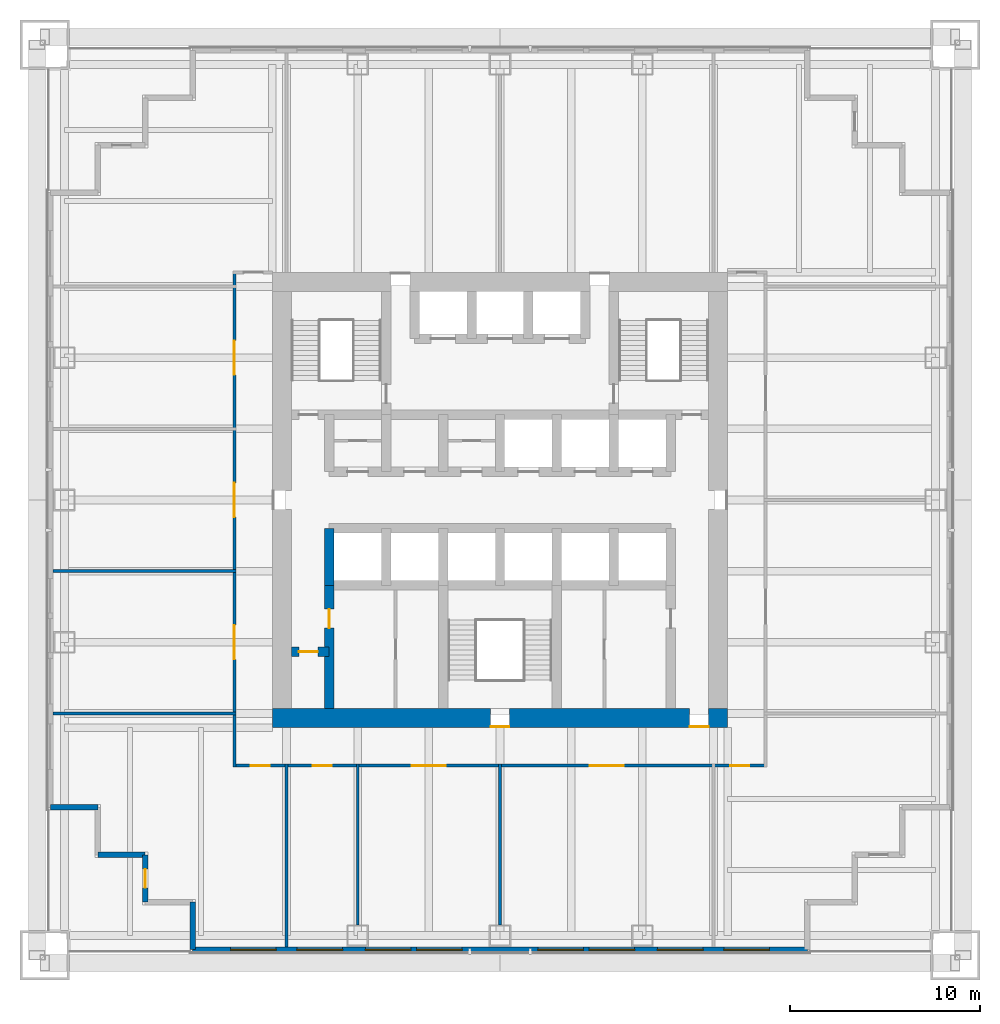
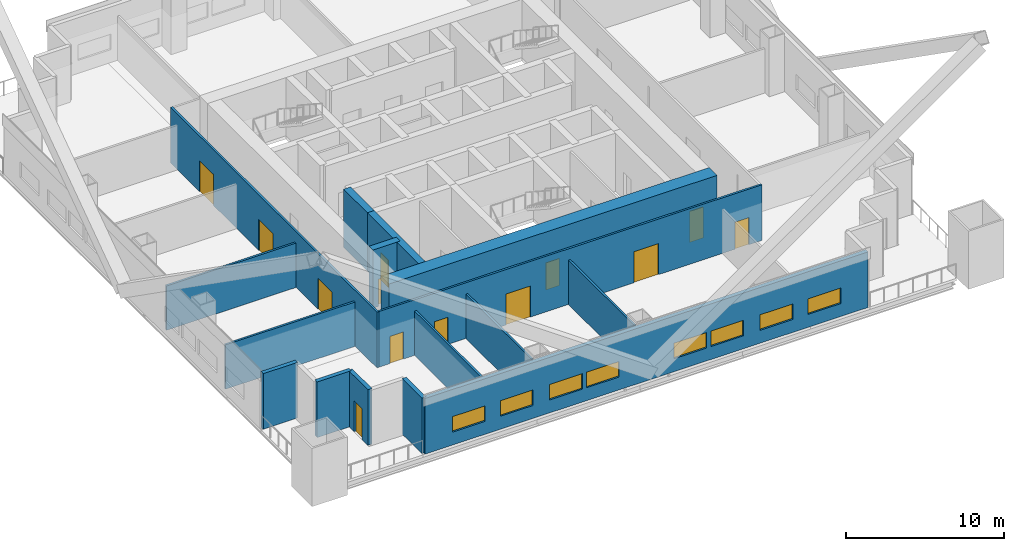
# One storey, part 2 of 7: 16 walls, 13 doors, 8 windows, 21 openings.
"""IFC4 building model written with IfcOpenShell, lengths in metres."""

from ifc_helpers import new_model, si_unit, direction, frame, frame_2d, origin, place, context, subcontext, project, spatial, rectangle, extrude, material, layer, layer_set, type_object, element, fill, save


model = new_model("IFC4")

# Units and contexts
model_context = context("Model", 3, precision=1e-05, world=origin(), true_north=direction((0.0, 1.0)))
body_context = subcontext(model_context, "Body", "Model", "MODEL_VIEW")
ifc_project = project(units=[si_unit("LENGTHUNIT", "METRE"), si_unit("AREAUNIT", "SQUARE_METRE"), si_unit("VOLUMEUNIT", "CUBIC_METRE"), si_unit("PLANEANGLEUNIT", "RADIAN"), si_unit("MASSUNIT", "GRAM", prefix="KILO")], contexts=[model_context])

# Site, building, storey
site_placement = place(None, origin())
site = spatial("IfcSite", under=ifc_project, at=site_placement, CompositionType="ELEMENT")
building_placement = place(site_placement, origin())
building = spatial("IfcBuilding", under=site, at=building_placement, Name="Tarangal Relay Tower", CompositionType="ELEMENT")
storey_placement = place(building_placement, frame((0.0, 0.0, 153.89990234375)))
storey = spatial("IfcBuildingStorey", under=building, at=storey_placement, Name="L31", CompositionType="ELEMENT", Elevation=153.89990234375)

# Wall, opening, door
ifc_material_1 = material(Name="Concrete fc' 60 MPa", Category="concrete")
ifc_layer_1 = layer(ifc_material_1, 0.5)
ifc_layer_set_1 = layer_set([ifc_layer_1], Name="Core inner wall 500")
wall_type_1 = type_object("IfcWallType", Name="Core inner wall 500", PredefinedType="SHEAR", material=ifc_layer_set_1)
wall_1_placement = place(storey_placement, frame((-11.0, -8.0, 0.0), z_axis=(0.0, 0.0, 1.0), x_axis=(1.0, 0.0, 0.0)))
wall_1 = element("IfcWall", 1, at=wall_1_placement, inside=storey, type_object=wall_type_1, Name="Core wall YM8 L31", PredefinedType="SHEAR", context=body_context, shape_type="SweptSolid", body=[
    extrude(rectangle(XDim=2.0, YDim=0.5, at=frame_2d((1.0, 0.0))), origin(), (0.0, 0.0, 1.0), 4.5),
])
opening_1_placement = place(wall_1_placement, frame((0.39990234375, 0.0, 0.0)))
opening_1 = element("IfcOpeningElement", 2, at=opening_1_placement, cuts=wall_1, Name="Opening D1", PredefinedType="OPENING", context=body_context, shape_type="SweptSolid", body=[
    extrude(rectangle(XDim=1.0, YDim=2.10009765625, at=frame_2d((0.5, 1.050048828125))), frame((0.0, 0.260009765625, 0.0), z_axis=(0.0, -1.0, 0.0), x_axis=(1.0, 0.0, 0.0)), (0.0, 0.0, 1.0), 0.52001953125),
])
ifc_material_2 = material(Name="Hardwood door", Category="wood")
door_type_1 = type_object("IfcDoorType", Name="WC door 1000 x 2100", OperationType="SINGLE_SWING_LEFT", PredefinedType="DOOR", material=ifc_material_2)
door_1_placement = place(opening_1_placement, origin())
door_1 = element("IfcDoor", 3, at=door_1_placement, inside=storey, type_object=door_type_1, Name="Accessible WC door L31", OperationType="SINGLE_SWING_LEFT", OverallHeight=2.10009765625, OverallWidth=1.0, PredefinedType="DOOR", context=body_context, shape_type="SweptSolid", body=[
    extrude(rectangle(XDim=1.0, YDim=2.10009765625, at=frame_2d((0.5, 1.050048828125))), frame((0.0, 0.02490234375, 0.0), z_axis=(0.0, -1.0, 0.0), x_axis=(1.0, 0.0, 0.0)), (0.0, 0.0, 1.0), 0.050048828125),
])
fill(opening_1, door_1)

# Wall
wall_2_placement = place(storey_placement, frame((-9.0, -4.5, 0.0), z_axis=(0.0, 0.0, 1.0), x_axis=(0.0, 1.0, 0.0)))
element("IfcWall", 4, at=wall_2_placement, inside=storey, type_object=wall_type_1, Name="Core wall XM9S L31", PredefinedType="SHEAR", context=body_context, shape_type="SweptSolid", body=[
    extrude(rectangle(XDim=3.0, YDim=0.5, at=frame_2d((1.5, 0.0))), origin(), (0.0, 0.0, 1.0), 4.5),
])

# Wall, opening, door
wall_3_placement = place(storey_placement, frame((-9.0, -11.0, 0.0), z_axis=(0.0, 0.0, 1.0), x_axis=(0.0, 1.0, 0.0)))
wall_3 = element("IfcWall", 5, at=wall_3_placement, inside=storey, type_object=wall_type_1, Name="Core wall XM9W L31", PredefinedType="SHEAR", context=body_context, shape_type="SweptSolid", body=[
    extrude(rectangle(XDim=6.5, YDim=0.5, at=frame_2d((3.25, 0.0))), origin(), (0.0, 0.0, 1.0), 4.5),
])
opening_2_placement = place(wall_3_placement, frame((4.25, 0.0, 0.0)))
opening_2 = element("IfcOpeningElement", 6, at=opening_2_placement, cuts=wall_3, Name="Opening D1", PredefinedType="OPENING", context=body_context, shape_type="SweptSolid", body=[
    extrude(rectangle(XDim=1.0, YDim=2.10009765625, at=frame_2d((0.5, 1.050048828125))), frame((0.0, 0.260009765625, 0.0), z_axis=(0.0, -1.0, 0.0), x_axis=(1.0, 0.0, 0.0)), (0.0, 0.0, 1.0), 0.52001953125),
])
door_2_placement = place(opening_2_placement, origin())
door_2 = element("IfcDoor", 7, at=door_2_placement, inside=storey, type_object=door_type_1, Name="Male WC door L31", OperationType="SINGLE_SWING_LEFT", OverallHeight=2.10009765625, OverallWidth=1.0, PredefinedType="DOOR", context=body_context, shape_type="SweptSolid", body=[
    extrude(rectangle(XDim=1.0, YDim=2.10009765625, at=frame_2d((0.5, 1.050048828125))), frame((0.0, 0.02490234375, 0.0), z_axis=(0.0, -1.0, 0.0), x_axis=(1.0, 0.0, 0.0)), (0.0, 0.0, 1.0), 0.050048828125),
])
fill(opening_2, door_2)

# Wall, openings, doors
ifc_layer_2 = layer(ifc_material_1, 1.0)
ifc_layer_set_2 = layer_set([ifc_layer_2], Name="Core wall 1000")
wall_type_2 = type_object("IfcWallType", Name="Core wall 1000", PredefinedType="SHEAR", material=ifc_layer_set_2)
wall_4_placement = place(storey_placement, frame((12.0, -11.5, 0.0), z_axis=(0.0, 0.0, 1.0), x_axis=(-1.0, 0.0, 0.0)))
wall_4 = element("IfcWall", 8, at=wall_4_placement, inside=storey, type_object=wall_type_2, Name="Core wall S L31", PredefinedType="SHEAR", context=body_context, shape_type="SweptSolid", body=[
    extrude(rectangle(XDim=24.0, YDim=1.0, at=frame_2d((12.0, 0.0))), origin(), (0.0, 0.0, 1.0), 4.5),
])
opening_3_placement = place(wall_4_placement, frame((11.5, 0.0, 0.0)))
opening_3 = element("IfcOpeningElement", 9, at=opening_3_placement, cuts=wall_4, Name="Opening FD1", PredefinedType="OPENING", context=body_context, shape_type="SweptSolid", body=[
    extrude(rectangle(XDim=1.0, YDim=2.10009765625, at=frame_2d((0.5, 1.050048828125))), frame((0.0, 0.510009765625, 0.0), z_axis=(0.0, -1.0, 0.0), x_axis=(1.0, 0.0, 0.0)), (0.0, 0.0, 1.0), 1.02001953125),
])
opening_4_placement = place(wall_4_placement, frame((1.0, 0.0, 0.0)))
opening_4 = element("IfcOpeningElement", 10, at=opening_4_placement, cuts=wall_4, Name="Opening FD3", PredefinedType="OPENING", context=body_context, shape_type="SweptSolid", body=[
    extrude(rectangle(XDim=1.0, YDim=2.39990234375, at=frame_2d((0.5, 1.199951171875))), frame((0.0, 0.510009765625, 0.0), z_axis=(0.0, -1.0, 0.0), x_axis=(1.0, 0.0, 0.0)), (0.0, 0.0, 1.0), 1.02001953125),
])
ifc_material_3 = material(Name="Steel door with hardwood frame", Category="steel")
door_type_2 = type_object("IfcDoorType", Name="Fire door 1000 x 2100", OperationType="SINGLE_SWING_LEFT", PredefinedType="DOOR", material=ifc_material_3)
door_3_placement = place(opening_3_placement, origin())
door_3 = element("IfcDoor", 11, at=door_3_placement, inside=storey, type_object=door_type_2, Name="Stair ST-C door L31", OperationType="SINGLE_SWING_LEFT", OverallHeight=2.10009765625, OverallWidth=1.0, PredefinedType="DOOR", context=body_context, shape_type="SweptSolid", body=[
    extrude(rectangle(XDim=1.0, YDim=2.10009765625, at=frame_2d((0.5, 1.050048828125))), frame((0.0, 0.48486328125, 0.0), z_axis=(0.0, -1.0, 0.0), x_axis=(1.0, 0.0, 0.0)), (0.0, 0.0, 1.0), 0.050048828125),
])
fill(opening_3, door_3)
door_type_3 = type_object("IfcDoorType", Name="Fire door 1000 x 2400 core entry", OperationType="SINGLE_SWING_RIGHT", PredefinedType="DOOR", material=ifc_material_3)
door_4_placement = place(opening_4_placement, origin())
door_4 = element("IfcDoor", 12, at=door_4_placement, inside=storey, type_object=door_type_3, Name="Core entry door south east L31", OperationType="SINGLE_SWING_RIGHT", OverallHeight=2.39990234375, OverallWidth=1.0, PredefinedType="DOOR", context=body_context, shape_type="SweptSolid", body=[
    extrude(rectangle(XDim=1.0, YDim=2.39990234375, at=frame_2d((0.5, 1.199951171875))), frame((0.0, 0.48486328125, 0.0), z_axis=(0.0, -1.0, 0.0), x_axis=(1.0, 0.0, 0.0)), (0.0, 0.0, 1.0), 0.050048828125),
])
fill(opening_4, door_4)

# Wall, openings, windows
ifc_material_4 = material(Name="Insulated precast concrete fc' 40 MPa", Category="concrete")
ifc_layer_3 = layer(ifc_material_4, 0.300048828125)
ifc_layer_set_3 = layer_set([ifc_layer_3], Name="Insulated precast concrete fc' 40 MPa")
wall_type_3 = type_object("IfcWallType", Name="Facade wall precast 300", PredefinedType="SOLIDWALL", material=ifc_layer_set_3)
wall_5_placement = place(storey_placement, frame((16.199951171875, -23.699951171875, 0.0), z_axis=(0.0, 0.0, 1.0), x_axis=(-1.0, 0.0, 0.0)))
wall_5 = element("IfcWall", 13, at=wall_5_placement, inside=storey, type_object=wall_type_3, Name="Facade wall S facade L31", PredefinedType="SOLIDWALL", context=body_context, shape_type="SweptSolid", body=[
    extrude(rectangle(XDim=32.39990234375, YDim=0.300048828125, at=frame_2d((16.199951171875, 0.0))), origin(), (0.0, 0.0, 1.0), 4.300048828125),
])
opening_5_placement = place(wall_5_placement, frame((2.0, 0.0, 1.0)))
opening_5 = element("IfcOpeningElement", 14, at=opening_5_placement, cuts=wall_5, Name="Opening WN1", PredefinedType="OPENING", context=body_context, shape_type="SweptSolid", body=[
    extrude(rectangle(XDim=2.39990234375, YDim=1.199951171875, at=frame_2d((1.199951171875, 0.60009765625))), frame((0.0, 0.159912109375, 0.0), z_axis=(0.0, -1.0, 0.0), x_axis=(1.0, 0.0, 0.0)), (0.0, 0.0, 1.0), 0.320068359375),
])
opening_6_placement = place(wall_5_placement, frame((5.5, 0.0, 1.0)))
opening_6 = element("IfcOpeningElement", 15, at=opening_6_placement, cuts=wall_5, Name="Opening WN1", PredefinedType="OPENING", context=body_context, shape_type="SweptSolid", body=[
    extrude(rectangle(XDim=2.39990234375, YDim=1.199951171875, at=frame_2d((1.199951171875, 0.60009765625))), frame((0.0, 0.159912109375, 0.0), z_axis=(0.0, -1.0, 0.0), x_axis=(1.0, 0.0, 0.0)), (0.0, 0.0, 1.0), 0.320068359375),
])
opening_7_placement = place(wall_5_placement, frame((9.10009765625, 0.0, 1.0)))
opening_7 = element("IfcOpeningElement", 16, at=opening_7_placement, cuts=wall_5, Name="Opening WN1", PredefinedType="OPENING", context=body_context, shape_type="SweptSolid", body=[
    extrude(rectangle(XDim=2.39990234375, YDim=1.199951171875, at=frame_2d((1.199951171875, 0.60009765625))), frame((0.0, 0.159912109375, 0.0), z_axis=(0.0, -1.0, 0.0), x_axis=(1.0, 0.0, 0.0)), (0.0, 0.0, 1.0), 0.320068359375),
])
opening_8_placement = place(wall_5_placement, frame((11.800048828125, 0.0, 1.0)))
opening_8 = element("IfcOpeningElement", 17, at=opening_8_placement, cuts=wall_5, Name="Opening WN1", PredefinedType="OPENING", context=body_context, shape_type="SweptSolid", body=[
    extrude(rectangle(XDim=2.39990234375, YDim=1.199951171875, at=frame_2d((1.199951171875, 0.60009765625))), frame((0.0, 0.159912109375, 0.0), z_axis=(0.0, -1.0, 0.0), x_axis=(1.0, 0.0, 0.0)), (0.0, 0.0, 1.0), 0.320068359375),
])
opening_9_placement = place(wall_5_placement, frame((18.199951171875, 0.0, 1.0)))
opening_9 = element("IfcOpeningElement", 18, at=opening_9_placement, cuts=wall_5, Name="Opening WN1", PredefinedType="OPENING", context=body_context, shape_type="SweptSolid", body=[
    extrude(rectangle(XDim=2.39990234375, YDim=1.199951171875, at=frame_2d((1.199951171875, 0.60009765625))), frame((0.0, 0.159912109375, 0.0), z_axis=(0.0, -1.0, 0.0), x_axis=(1.0, 0.0, 0.0)), (0.0, 0.0, 1.0), 0.320068359375),
])
opening_10_placement = place(wall_5_placement, frame((20.89990234375, 0.0, 1.0)))
opening_10 = element("IfcOpeningElement", 19, at=opening_10_placement, cuts=wall_5, Name="Opening WN1", PredefinedType="OPENING", context=body_context, shape_type="SweptSolid", body=[
    extrude(rectangle(XDim=2.39990234375, YDim=1.199951171875, at=frame_2d((1.199951171875, 0.60009765625))), frame((0.0, 0.159912109375, 0.0), z_axis=(0.0, -1.0, 0.0), x_axis=(1.0, 0.0, 0.0)), (0.0, 0.0, 1.0), 0.320068359375),
])
opening_11_placement = place(wall_5_placement, frame((24.5, 0.0, 1.0)))
opening_11 = element("IfcOpeningElement", 20, at=opening_11_placement, cuts=wall_5, Name="Opening WN1", PredefinedType="OPENING", context=body_context, shape_type="SweptSolid", body=[
    extrude(rectangle(XDim=2.39990234375, YDim=1.199951171875, at=frame_2d((1.199951171875, 0.60009765625))), frame((0.0, 0.159912109375, 0.0), z_axis=(0.0, -1.0, 0.0), x_axis=(1.0, 0.0, 0.0)), (0.0, 0.0, 1.0), 0.320068359375),
])
opening_12_placement = place(wall_5_placement, frame((28.0, 0.0, 1.0)))
opening_12 = element("IfcOpeningElement", 21, at=opening_12_placement, cuts=wall_5, Name="Opening WN1", PredefinedType="OPENING", context=body_context, shape_type="SweptSolid", body=[
    extrude(rectangle(XDim=2.39990234375, YDim=1.199951171875, at=frame_2d((1.199951171875, 0.60009765625))), frame((0.0, 0.159912109375, 0.0), z_axis=(0.0, -1.0, 0.0), x_axis=(1.0, 0.0, 0.0)), (0.0, 0.0, 1.0), 0.320068359375),
])
ifc_material_5 = material(Name="Dark tinted double glazing in black aluminium frame", Category="aluminium")
window_type = type_object("IfcWindowType", Name="Ribbon window 2400 x 1200", PartitioningType="SINGLE_PANEL", PredefinedType="WINDOW", material=ifc_material_5)
window_1_placement = place(opening_5_placement, origin())
window_1 = element("IfcWindow", 22, at=window_1_placement, inside=storey, type_object=window_type, Name="Ribbon window WN1 S facade L31", OverallHeight=1.199951171875, OverallWidth=2.39990234375, PartitioningType="SINGLE_PANEL", PredefinedType="WINDOW", context=body_context, shape_type="SweptSolid", body=[
    extrude(rectangle(XDim=2.39990234375, YDim=1.199951171875, at=frame_2d((1.199951171875, 0.60009765625))), frame((0.0, 0.030029296875, 0.0), z_axis=(0.0, -1.0, 0.0), x_axis=(1.0, 0.0, 0.0)), (0.0, 0.0, 1.0), 0.06005859375),
])
fill(opening_5, window_1)
window_2_placement = place(opening_6_placement, origin())
window_2 = element("IfcWindow", 23, at=window_2_placement, inside=storey, type_object=window_type, Name="Ribbon window WN1 S facade L31", OverallHeight=1.199951171875, OverallWidth=2.39990234375, PartitioningType="SINGLE_PANEL", PredefinedType="WINDOW", context=body_context, shape_type="SweptSolid", body=[
    extrude(rectangle(XDim=2.39990234375, YDim=1.199951171875, at=frame_2d((1.199951171875, 0.60009765625))), frame((0.0, 0.030029296875, 0.0), z_axis=(0.0, -1.0, 0.0), x_axis=(1.0, 0.0, 0.0)), (0.0, 0.0, 1.0), 0.06005859375),
])
fill(opening_6, window_2)
window_3_placement = place(opening_7_placement, origin())
window_3 = element("IfcWindow", 24, at=window_3_placement, inside=storey, type_object=window_type, Name="Ribbon window WN1 S facade L31", OverallHeight=1.199951171875, OverallWidth=2.39990234375, PartitioningType="SINGLE_PANEL", PredefinedType="WINDOW", context=body_context, shape_type="SweptSolid", body=[
    extrude(rectangle(XDim=2.39990234375, YDim=1.199951171875, at=frame_2d((1.199951171875, 0.60009765625))), frame((0.0, 0.030029296875, 0.0), z_axis=(0.0, -1.0, 0.0), x_axis=(1.0, 0.0, 0.0)), (0.0, 0.0, 1.0), 0.06005859375),
])
fill(opening_7, window_3)
window_4_placement = place(opening_8_placement, origin())
window_4 = element("IfcWindow", 25, at=window_4_placement, inside=storey, type_object=window_type, Name="Ribbon window WN1 S facade L31", OverallHeight=1.199951171875, OverallWidth=2.39990234375, PartitioningType="SINGLE_PANEL", PredefinedType="WINDOW", context=body_context, shape_type="SweptSolid", body=[
    extrude(rectangle(XDim=2.39990234375, YDim=1.199951171875, at=frame_2d((1.199951171875, 0.60009765625))), frame((0.0, 0.030029296875, 0.0), z_axis=(0.0, -1.0, 0.0), x_axis=(1.0, 0.0, 0.0)), (0.0, 0.0, 1.0), 0.06005859375),
])
fill(opening_8, window_4)
window_5_placement = place(opening_9_placement, origin())
window_5 = element("IfcWindow", 26, at=window_5_placement, inside=storey, type_object=window_type, Name="Ribbon window WN1 S facade L31", OverallHeight=1.199951171875, OverallWidth=2.39990234375, PartitioningType="SINGLE_PANEL", PredefinedType="WINDOW", context=body_context, shape_type="SweptSolid", body=[
    extrude(rectangle(XDim=2.39990234375, YDim=1.199951171875, at=frame_2d((1.199951171875, 0.60009765625))), frame((0.0, 0.030029296875, 0.0), z_axis=(0.0, -1.0, 0.0), x_axis=(1.0, 0.0, 0.0)), (0.0, 0.0, 1.0), 0.06005859375),
])
fill(opening_9, window_5)
window_6_placement = place(opening_10_placement, origin())
window_6 = element("IfcWindow", 27, at=window_6_placement, inside=storey, type_object=window_type, Name="Ribbon window WN1 S facade L31", OverallHeight=1.199951171875, OverallWidth=2.39990234375, PartitioningType="SINGLE_PANEL", PredefinedType="WINDOW", context=body_context, shape_type="SweptSolid", body=[
    extrude(rectangle(XDim=2.39990234375, YDim=1.199951171875, at=frame_2d((1.199951171875, 0.60009765625))), frame((0.0, 0.030029296875, 0.0), z_axis=(0.0, -1.0, 0.0), x_axis=(1.0, 0.0, 0.0)), (0.0, 0.0, 1.0), 0.06005859375),
])
fill(opening_10, window_6)
window_7_placement = place(opening_11_placement, origin())
window_7 = element("IfcWindow", 28, at=window_7_placement, inside=storey, type_object=window_type, Name="Ribbon window WN1 S facade L31", OverallHeight=1.199951171875, OverallWidth=2.39990234375, PartitioningType="SINGLE_PANEL", PredefinedType="WINDOW", context=body_context, shape_type="SweptSolid", body=[
    extrude(rectangle(XDim=2.39990234375, YDim=1.199951171875, at=frame_2d((1.199951171875, 0.60009765625))), frame((0.0, 0.030029296875, 0.0), z_axis=(0.0, -1.0, 0.0), x_axis=(1.0, 0.0, 0.0)), (0.0, 0.0, 1.0), 0.06005859375),
])
fill(opening_11, window_7)
window_8_placement = place(opening_12_placement, origin())
window_8 = element("IfcWindow", 29, at=window_8_placement, inside=storey, type_object=window_type, Name="Ribbon window WN1 S facade L31", OverallHeight=1.199951171875, OverallWidth=2.39990234375, PartitioningType="SINGLE_PANEL", PredefinedType="WINDOW", context=body_context, shape_type="SweptSolid", body=[
    extrude(rectangle(XDim=2.39990234375, YDim=1.199951171875, at=frame_2d((1.199951171875, 0.60009765625))), frame((0.0, 0.030029296875, 0.0), z_axis=(0.0, -1.0, 0.0), x_axis=(1.0, 0.0, 0.0)), (0.0, 0.0, 1.0), 0.06005859375),
])
fill(opening_12, window_8)

# Wall
wall_6_placement = place(storey_placement, frame((-16.199951171875, -23.699951171875, 0.0), z_axis=(0.0, 0.0, 1.0), x_axis=(0.0, 1.0, 0.0)))
element("IfcWall", 30, at=wall_6_placement, inside=storey, type_object=wall_type_3, Name="Facade wall S facade L31", PredefinedType="SOLIDWALL", context=body_context, shape_type="SweptSolid", body=[
    extrude(rectangle(XDim=2.5, YDim=0.300048828125, at=frame_2d((1.25, 0.0))), origin(), (0.0, 0.0, 1.0), 4.300048828125),
])

# Wall, opening, door
wall_7_placement = place(storey_placement, frame((-18.699951171875, -21.199951171875, 0.0), z_axis=(0.0, 0.0, 1.0), x_axis=(0.0, 1.0, 0.0)))
wall_7 = element("IfcWall", 31, at=wall_7_placement, inside=storey, type_object=wall_type_3, Name="Facade wall S facade L31", PredefinedType="SOLIDWALL", context=body_context, shape_type="SweptSolid", body=[
    extrude(rectangle(XDim=2.5, YDim=0.300048828125, at=frame_2d((1.25, 0.0))), origin(), (0.0, 0.0, 1.0), 4.300048828125),
])
opening_13_placement = place(wall_7_placement, frame((0.75, 0.0, 0.0)))
opening_13 = element("IfcOpeningElement", 32, at=opening_13_placement, cuts=wall_7, Name="Opening TD1", PredefinedType="OPENING", context=body_context, shape_type="SweptSolid", body=[
    extrude(rectangle(XDim=1.0, YDim=2.39990234375, at=frame_2d((0.5, 1.199951171875))), frame((0.0, 0.159912109375, 0.0), z_axis=(0.0, -1.0, 0.0), x_axis=(1.0, 0.0, 0.0)), (0.0, 0.0, 1.0), 0.320068359375),
])
ifc_material_6 = material(Name="Aluminium glazed door", Category="aluminium")
door_type_4 = type_object("IfcDoorType", Name="Terrace door 1000 x 2400", OperationType="SINGLE_SWING_RIGHT", PredefinedType="DOOR", material=ifc_material_6)
door_5_placement = place(opening_13_placement, origin())
door_5 = element("IfcDoor", 33, at=door_5_placement, inside=storey, type_object=door_type_4, Name="Terrace door TD1 SW L31", OperationType="SINGLE_SWING_RIGHT", OverallHeight=2.39990234375, OverallWidth=1.0, PredefinedType="DOOR", context=body_context, shape_type="SweptSolid", body=[
    extrude(rectangle(XDim=1.0, YDim=2.39990234375, at=frame_2d((0.5, 1.199951171875))), frame((0.0, 0.02490234375, 0.0), z_axis=(0.0, -1.0, 0.0), x_axis=(1.0, 0.0, 0.0)), (0.0, 0.0, 1.0), 0.050048828125),
])
fill(opening_13, door_5)

# Walls
for number, where, z_axis, x_axis, name in (
    (34, (-18.699951171875, -18.699951171875, 0.0), (0.0, 0.0, 1.0), (-1.0, 0.0, 0.0), "Facade wall S facade L31"),
    (35, (-21.199951171875, -16.199951171875, 0.0), (0.0, 0.0, 1.0), (-1.0, 0.0, 0.0), "Facade wall S facade L31"),
):
    element("IfcWall", number, at=place(storey_placement, frame(where, z_axis=z_axis, x_axis=x_axis)), inside=storey, type_object=wall_type_3, Name=name, PredefinedType="SOLIDWALL", context=body_context, shape_type="SweptSolid", body=[
        extrude(rectangle(XDim=2.5, YDim=0.300048828125, at=frame_2d((1.25, 0.0))), origin(), (0.0, 0.0, 1.0), 4.300048828125),
    ])

# Wall, openings, doors
ifc_material_7 = material(Name="Gypsum board on steel studs", Category="steel")
ifc_layer_4 = layer(ifc_material_7, 0.14990234375)
ifc_layer_set_4 = layer_set([ifc_layer_4], Name="Partition 150")
wall_type_4 = type_object("IfcWallType", Name="Partition 150", PredefinedType="PARTITIONING", material=ifc_layer_set_4)
wall_8_placement = place(storey_placement, frame((-14.074951171875, -14.0, 0.0), z_axis=(0.0, 0.0, 1.0), x_axis=(1.0, 0.0, 0.0)))
wall_8 = element("IfcWall", 36, at=wall_8_placement, inside=storey, type_object=wall_type_4, Name="Partition PT1 L31", PredefinedType="PARTITIONING", context=body_context, shape_type="SweptSolid", body=[
    extrude(rectangle(XDim=28.14990234375, YDim=0.14990234375, at=frame_2d((14.074951171875, 0.0))), origin(), (0.0, 0.0, 1.0), 4.300048828125),
])
opening_14_placement = place(wall_8_placement, frame((18.800048828125, 0.0, 0.0)))
opening_14 = element("IfcOpeningElement", 37, at=opening_14_placement, cuts=wall_8, Name="Opening DD1", PredefinedType="OPENING", context=body_context, shape_type="SweptSolid", body=[
    extrude(rectangle(XDim=1.800048828125, YDim=2.39990234375, at=frame_2d((0.89990234375, 1.199951171875))), frame((0.0, 0.0849609375, 0.0), z_axis=(0.0, -1.0, 0.0), x_axis=(1.0, 0.0, 0.0)), (0.0, 0.0, 1.0), 0.169921875),
])
opening_15_placement = place(wall_8_placement, frame((9.425048828125, 0.0, 0.0)))
opening_15 = element("IfcOpeningElement", 38, at=opening_15_placement, cuts=wall_8, Name="Opening DD1", PredefinedType="OPENING", context=body_context, shape_type="SweptSolid", body=[
    extrude(rectangle(XDim=1.800048828125, YDim=2.39990234375, at=frame_2d((0.89990234375, 1.199951171875))), frame((0.0, 0.0849609375, 0.0), z_axis=(0.0, -1.0, 0.0), x_axis=(1.0, 0.0, 0.0)), (0.0, 0.0, 1.0), 0.169921875),
])
opening_16_placement = place(wall_8_placement, frame((4.199951171875, 0.0, 0.0)))
opening_16 = element("IfcOpeningElement", 39, at=opening_16_placement, cuts=wall_8, Name="Opening D2", PredefinedType="OPENING", context=body_context, shape_type="SweptSolid", body=[
    extrude(rectangle(XDim=1.0, YDim=2.10009765625, at=frame_2d((0.5, 1.050048828125))), frame((0.0, 0.0849609375, 0.0), z_axis=(0.0, -1.0, 0.0), x_axis=(1.0, 0.0, 0.0)), (0.0, 0.0, 1.0), 0.169921875),
])
opening_17_placement = place(wall_8_placement, frame((26.199951171875, 0.0, 0.0)))
opening_17 = element("IfcOpeningElement", 40, at=opening_17_placement, cuts=wall_8, Name="Opening D2", PredefinedType="OPENING", context=body_context, shape_type="SweptSolid", body=[
    extrude(rectangle(XDim=1.0, YDim=2.10009765625, at=frame_2d((0.5, 1.050048828125))), frame((0.0, 0.0849609375, 0.0), z_axis=(0.0, -1.0, 0.0), x_axis=(1.0, 0.0, 0.0)), (0.0, 0.0, 1.0), 0.169921875),
])
opening_18_placement = place(wall_8_placement, frame((0.949951171875, 0.0, 0.0)))
opening_18 = element("IfcOpeningElement", 41, at=opening_18_placement, cuts=wall_8, Name="Opening D2", PredefinedType="OPENING", context=body_context, shape_type="SweptSolid", body=[
    extrude(rectangle(XDim=1.0, YDim=2.10009765625, at=frame_2d((0.5, 1.050048828125))), frame((0.0, 0.0849609375, 0.0), z_axis=(0.0, -1.0, 0.0), x_axis=(1.0, 0.0, 0.0)), (0.0, 0.0, 1.0), 0.169921875),
])
door_type_5 = type_object("IfcDoorType", Name="Door 1000 x 2100", OperationType="SINGLE_SWING_LEFT", PredefinedType="DOOR", material=ifc_material_2)
door_6_placement = place(opening_16_placement, origin())
door_6 = element("IfcDoor", 42, at=door_6_placement, inside=storey, type_object=door_type_5, Name="Door D2 to spares store L31-08", OperationType="SINGLE_SWING_LEFT", OverallHeight=2.10009765625, OverallWidth=1.0, PredefinedType="DOOR", context=body_context, shape_type="SweptSolid", body=[
    extrude(rectangle(XDim=1.0, YDim=2.10009765625, at=frame_2d((0.5, 1.050048828125))), frame((0.0, 0.02490234375, 0.0), z_axis=(0.0, -1.0, 0.0), x_axis=(1.0, 0.0, 0.0)), (0.0, 0.0, 1.0), 0.050048828125),
])
fill(opening_16, door_6)
door_7_placement = place(opening_17_placement, origin())
door_7 = element("IfcDoor", 43, at=door_7_placement, inside=storey, type_object=door_type_5, Name="Door D2 to test lab L31-13", OperationType="SINGLE_SWING_LEFT", OverallHeight=2.10009765625, OverallWidth=1.0, PredefinedType="DOOR", context=body_context, shape_type="SweptSolid", body=[
    extrude(rectangle(XDim=1.0, YDim=2.10009765625, at=frame_2d((0.5, 1.050048828125))), frame((0.0, 0.02490234375, 0.0), z_axis=(0.0, -1.0, 0.0), x_axis=(1.0, 0.0, 0.0)), (0.0, 0.0, 1.0), 0.050048828125),
])
fill(opening_17, door_7)
door_8_placement = place(opening_18_placement, origin())
door_8 = element("IfcDoor", 44, at=door_8_placement, inside=storey, type_object=door_type_5, Name="Door D2 to engineering office L31-14", OperationType="SINGLE_SWING_LEFT", OverallHeight=2.10009765625, OverallWidth=1.0, PredefinedType="DOOR", context=body_context, shape_type="SweptSolid", body=[
    extrude(rectangle(XDim=1.0, YDim=2.10009765625, at=frame_2d((0.5, 1.050048828125))), frame((0.0, 0.02490234375, 0.0), z_axis=(0.0, -1.0, 0.0), x_axis=(1.0, 0.0, 0.0)), (0.0, 0.0, 1.0), 0.050048828125),
])
fill(opening_18, door_8)
door_type_6 = type_object("IfcDoorType", Name="Equipment double door 1800 x 2400", OperationType="DOUBLE_DOOR_SINGLE_SWING", PredefinedType="DOOR", material=ifc_material_3)
door_9_placement = place(opening_14_placement, origin())
door_9 = element("IfcDoor", 45, at=door_9_placement, inside=storey, type_object=door_type_6, Name="Door DD1 to rectifier and battery room L31-06", OperationType="DOUBLE_DOOR_SINGLE_SWING", OverallHeight=2.39990234375, OverallWidth=1.800048828125, PredefinedType="DOOR", context=body_context, shape_type="SweptSolid", body=[
    extrude(rectangle(XDim=1.800048828125, YDim=2.39990234375, at=frame_2d((0.89990234375, 1.199951171875))), frame((0.0, 0.02490234375, 0.0), z_axis=(0.0, -1.0, 0.0), x_axis=(1.0, 0.0, 0.0)), (0.0, 0.0, 1.0), 0.050048828125),
])
fill(opening_14, door_9)
door_10_placement = place(opening_15_placement, origin())
door_10 = element("IfcDoor", 46, at=door_10_placement, inside=storey, type_object=door_type_6, Name="Door DD1 to electrical room L31-07", OperationType="DOUBLE_DOOR_SINGLE_SWING", OverallHeight=2.39990234375, OverallWidth=1.800048828125, PredefinedType="DOOR", context=body_context, shape_type="SweptSolid", body=[
    extrude(rectangle(XDim=1.800048828125, YDim=2.39990234375, at=frame_2d((0.89990234375, 1.199951171875))), frame((0.0, 0.02490234375, 0.0), z_axis=(0.0, -1.0, 0.0), x_axis=(1.0, 0.0, 0.0)), (0.0, 0.0, 1.0), 0.050048828125),
])
fill(opening_15, door_10)

# Walls
for number, where, z_axis, x_axis, name in (
    (47, (-23.550048828125, -11.25, 0.0), (0.0, 0.0, 1.0), (1.0, 0.0, 0.0), "Partition PT1 L31"),
    (48, (-23.550048828125, -3.75, 0.0), (0.0, 0.0, 1.0), (1.0, 0.0, 0.0), "Partition PT1 L31"),
):
    element("IfcWall", number, at=place(storey_placement, frame(where, z_axis=z_axis, x_axis=x_axis)), inside=storey, type_object=wall_type_4, Name=name, PredefinedType="PARTITIONING", context=body_context, shape_type="SweptSolid", body=[
        extrude(rectangle(XDim=9.625, YDim=0.14990234375, at=frame_2d((4.8125, 0.0))), origin(), (0.0, 0.0, 1.0), 3.431396484375),
    ])

# Wall, openings, doors
wall_9_placement = place(storey_placement, frame((-14.0, -14.074951171875, 0.0), z_axis=(0.0, 0.0, 1.0), x_axis=(0.0, 1.0, 0.0)))
wall_9 = element("IfcWall", 49, at=wall_9_placement, inside=storey, type_object=wall_type_4, Name="Partition PT1 L31", PredefinedType="PARTITIONING", context=body_context, shape_type="SweptSolid", body=[
    extrude(rectangle(XDim=26.14990234375, YDim=0.14990234375, at=frame_2d((13.074951171875, 0.0))), origin(), (0.0, 0.0, 1.0), 4.300048828125),
])
opening_19_placement = place(wall_9_placement, frame((5.675048828125, 0.0, 0.0)))
opening_19 = element("IfcOpeningElement", 50, at=opening_19_placement, cuts=wall_9, Name="Opening DD1", PredefinedType="OPENING", context=body_context, shape_type="SweptSolid", body=[
    extrude(rectangle(XDim=1.800048828125, YDim=2.39990234375, at=frame_2d((0.89990234375, 1.199951171875))), frame((0.0, 0.0849609375, 0.0), z_axis=(0.0, -1.0, 0.0), x_axis=(1.0, 0.0, 0.0)), (0.0, 0.0, 1.0), 0.169921875),
])
opening_20_placement = place(wall_9_placement, frame((13.175048828125, 0.0, 0.0)))
opening_20 = element("IfcOpeningElement", 51, at=opening_20_placement, cuts=wall_9, Name="Opening DD1", PredefinedType="OPENING", context=body_context, shape_type="SweptSolid", body=[
    extrude(rectangle(XDim=1.800048828125, YDim=2.39990234375, at=frame_2d((0.89990234375, 1.199951171875))), frame((0.0, 0.0849609375, 0.0), z_axis=(0.0, -1.0, 0.0), x_axis=(1.0, 0.0, 0.0)), (0.0, 0.0, 1.0), 0.169921875),
])
opening_21_placement = place(wall_9_placement, frame((20.675048828125, 0.0, 0.0)))
opening_21 = element("IfcOpeningElement", 52, at=opening_21_placement, cuts=wall_9, Name="Opening DD1", PredefinedType="OPENING", context=body_context, shape_type="SweptSolid", body=[
    extrude(rectangle(XDim=1.800048828125, YDim=2.39990234375, at=frame_2d((0.89990234375, 1.199951171875))), frame((0.0, 0.0849609375, 0.0), z_axis=(0.0, -1.0, 0.0), x_axis=(1.0, 0.0, 0.0)), (0.0, 0.0, 1.0), 0.169921875),
])
door_11_placement = place(opening_19_placement, origin())
door_11 = element("IfcDoor", 53, at=door_11_placement, inside=storey, type_object=door_type_6, Name="Door DD1 to telecom equipment room L31-09", OperationType="DOUBLE_DOOR_SINGLE_SWING", OverallHeight=2.39990234375, OverallWidth=1.800048828125, PredefinedType="DOOR", context=body_context, shape_type="SweptSolid", body=[
    extrude(rectangle(XDim=1.800048828125, YDim=2.39990234375, at=frame_2d((0.89990234375, 1.199951171875))), frame((0.0, 0.02490234375, 0.0), z_axis=(0.0, -1.0, 0.0), x_axis=(1.0, 0.0, 0.0)), (0.0, 0.0, 1.0), 0.050048828125),
])
fill(opening_19, door_11)
door_12_placement = place(opening_20_placement, origin())
door_12 = element("IfcDoor", 54, at=door_12_placement, inside=storey, type_object=door_type_6, Name="Door DD1 to telecom equipment room L31-10", OperationType="DOUBLE_DOOR_SINGLE_SWING", OverallHeight=2.39990234375, OverallWidth=1.800048828125, PredefinedType="DOOR", context=body_context, shape_type="SweptSolid", body=[
    extrude(rectangle(XDim=1.800048828125, YDim=2.39990234375, at=frame_2d((0.89990234375, 1.199951171875))), frame((0.0, 0.02490234375, 0.0), z_axis=(0.0, -1.0, 0.0), x_axis=(1.0, 0.0, 0.0)), (0.0, 0.0, 1.0), 0.050048828125),
])
fill(opening_20, door_12)
door_13_placement = place(opening_21_placement, origin())
door_13 = element("IfcDoor", 55, at=door_13_placement, inside=storey, type_object=door_type_6, Name="Door DD1 to fibre distribution room L31-11", OperationType="DOUBLE_DOOR_SINGLE_SWING", OverallHeight=2.39990234375, OverallWidth=1.800048828125, PredefinedType="DOOR", context=body_context, shape_type="SweptSolid", body=[
    extrude(rectangle(XDim=1.800048828125, YDim=2.39990234375, at=frame_2d((0.89990234375, 1.199951171875))), frame((0.0, 0.02490234375, 0.0), z_axis=(0.0, -1.0, 0.0), x_axis=(1.0, 0.0, 0.0)), (0.0, 0.0, 1.0), 0.050048828125),
])
fill(opening_21, door_13)

# Walls
wall_10_placement = place(storey_placement, frame((-11.25, -23.550048828125, 0.0), z_axis=(0.0, 0.0, 1.0), x_axis=(0.0, 1.0, 0.0)))
element("IfcWall", 56, at=wall_10_placement, inside=storey, type_object=wall_type_4, Name="Partition PT1 L31", PredefinedType="PARTITIONING", context=body_context, shape_type="SweptSolid", body=[
    extrude(rectangle(XDim=9.625, YDim=0.14990234375, at=frame_2d((4.8125, 0.0))), origin(), (0.0, 0.0, 1.0), 3.431396484375),
])
for number, where, z_axis, x_axis, name in (
    (57, (-7.5, -22.389892578125, 0.0), (0.0, 0.0, 1.0), (0.0, 1.0, 0.0), "Partition PT1 L31"),
    (58, (0.0, -22.389892578125, 0.0), (0.0, 0.0, 1.0), (0.0, 1.0, 0.0), "Partition PT1 L31"),
):
    element("IfcWall", number, at=place(storey_placement, frame(where, z_axis=z_axis, x_axis=x_axis)), inside=storey, type_object=wall_type_4, Name=name, PredefinedType="PARTITIONING", context=body_context, shape_type="SweptSolid", body=[
        extrude(rectangle(XDim=8.46484375, YDim=0.14990234375, at=frame_2d((4.232421875, 0.0))), origin(), (0.0, 0.0, 1.0), 3.431396484375),
    ])

save(model, "model.ifc")
